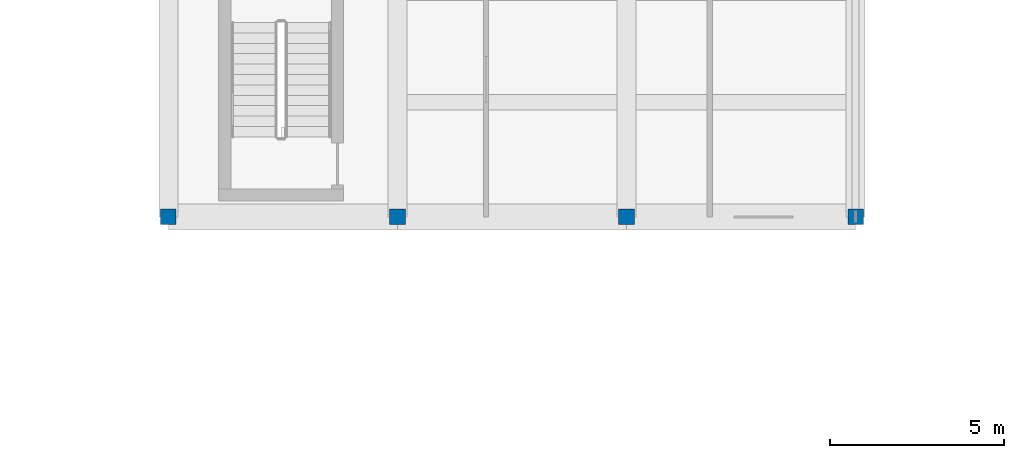
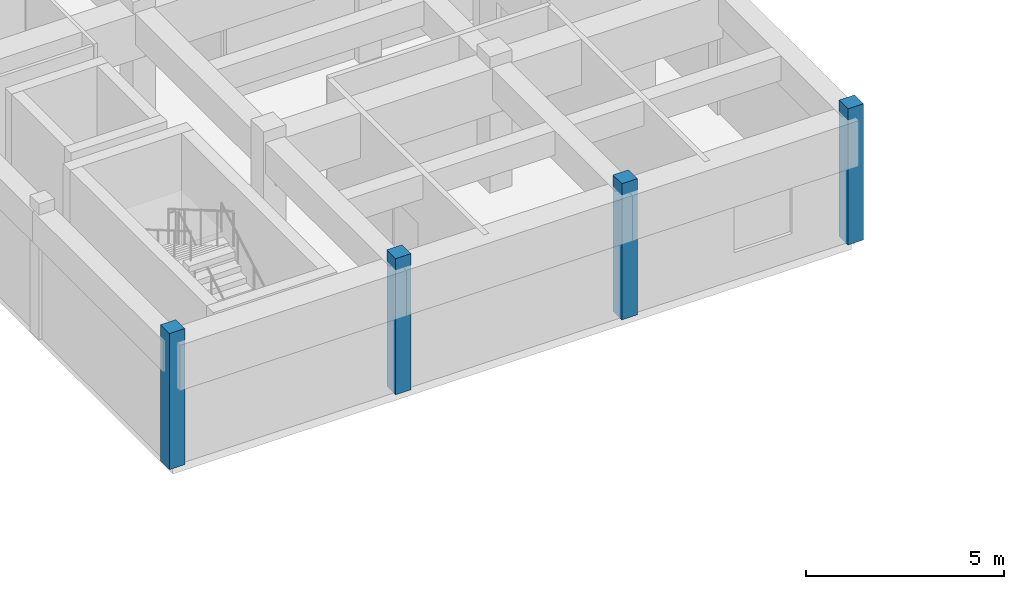
# One storey, part 12 of 130: 4 columns.
"""IFC4 building model written with IfcOpenShell, lengths in metres."""

import ifcopenshell
import ifcopenshell.guid

model = None  # the IFC model being written
_history = None  # IfcOwnerHistory: only IFC2X3 demands one
_inside = {}  # id of a spatial element -> (the spatial element, [elements in it])
_under = {}  # id of a project, library or spatial element -> (it, [spatial elements below it])
_declared = {}  # id of a project -> (the project, [libraries it declares])
_typed = {}  # id of a type object -> (the type object, [elements of that type])
_made_of = {}  # id of a material, layer set ... -> (it, [elements and type objects made of it])


def new_model(schema):
    """Start an empty IFC model of exactly this schema.

    Asked for "IFC4X3", IfcOpenShell would pick the latest addendum, in which some entities
    have other attributes; the version numbers below select the first issue.
    IFC2X3 requires an IfcOwnerHistory on every rooted entity: one is made here for all.
    """
    global model, _history
    if schema == "IFC4X3":
        model = ifcopenshell.file(schema_version=(4, 3, 0, 0))
    else:
        model = ifcopenshell.file(schema=schema)
    _inside.clear()
    _under.clear()
    _declared.clear()
    _typed.clear()
    _made_of.clear()
    _history = None
    if model.schema == "IFC2X3":
        org = make("IfcOrganization", Name="unknown")
        user = make(
            "IfcPersonAndOrganization",
            ThePerson=make("IfcPerson", FamilyName="unknown"),
            TheOrganization=org,
        )
        app = make(
            "IfcApplication",
            ApplicationDeveloper=org,
            Version="unknown",
            ApplicationFullName="unknown",
            ApplicationIdentifier="unknown",
        )
        _history = make(
            "IfcOwnerHistory",
            OwningUser=user,
            OwningApplication=app,
            ChangeAction="ADDED",
            CreationDate=0,
        )
    return model


def make(cls, **values):
    """One entity of the class cls with the attributes given. An attribute that is None is left unset."""
    return model.create_entity(
        cls, **{name: value for name, value in values.items() if value is not None}
    )


def rooted(cls, **values):
    """An entity with a GlobalId (a new one), such as an element, a storey or a relation."""
    return make(cls, GlobalId=ifcopenshell.guid.new(), OwnerHistory=_history, **values)


def si_unit(unit_type, name, prefix=None):
    """IfcSIUnit, for example si_unit("LENGTHUNIT", "METRE", prefix="MILLI")."""
    return make("IfcSIUnit", UnitType=unit_type, Prefix=prefix, Name=name)


def assignment(units):
    """IfcUnitAssignment: the units of a project."""
    return None if units is None else make("IfcUnitAssignment", Units=units)


def point(xyz):
    """IfcCartesianPoint."""
    return None if xyz is None else make("IfcCartesianPoint", Coordinates=xyz)


def direction(xyz):
    """IfcDirection."""
    return None if xyz is None else make("IfcDirection", DirectionRatios=xyz)


def frame(location, z_axis=None, x_axis=None):
    """IfcAxis2Placement3D, a coordinate frame: its origin and axes. An axis left out is left unset."""
    return make(
        "IfcAxis2Placement3D",
        Location=point(location),
        Axis=direction(z_axis),
        RefDirection=direction(x_axis),
    )


def frame_2d(location, x_axis=None):
    """IfcAxis2Placement2D, a coordinate frame in the plane: its origin and x axis."""
    return make(
        "IfcAxis2Placement2D", Location=point(location), RefDirection=direction(x_axis)
    )


def origin():
    """The frame at (0, 0, 0) with its axes left unset."""
    return frame((0.0, 0.0, 0.0))


def origin_2d():
    """The frame at (0, 0) in the plane with its x axis left unset."""
    return frame_2d((0.0, 0.0))


def place(relative_to, where):
    """IfcLocalPlacement: puts the frame where relative to a parent placement (None: the world)."""
    return make(
        "IfcLocalPlacement", PlacementRelTo=relative_to, RelativePlacement=where
    )


def context(
    kind, dimensions, precision=None, world=None, true_north=None, identifier=None
):
    """IfcGeometricRepresentationContext, for example the 3D "Model" context."""
    return make(
        "IfcGeometricRepresentationContext",
        ContextIdentifier=identifier,
        ContextType=kind,
        CoordinateSpaceDimension=dimensions,
        Precision=precision,
        WorldCoordinateSystem=world,
        TrueNorth=true_north,
    )


def subcontext(parent, identifier, kind, view, scale=None):
    """IfcGeometricRepresentationSubContext, for example "Body" below "Model"."""
    return make(
        "IfcGeometricRepresentationSubContext",
        ContextIdentifier=identifier,
        ContextType=kind,
        ParentContext=parent,
        TargetScale=scale,
        TargetView=view,
    )


def project(units=None, contexts=None):
    """IfcProject with its units and contexts."""
    return rooted(
        "IfcProject",
        Name="project",
        RepresentationContexts=contexts,
        UnitsInContext=assignment(units),
    )


def spatial(cls, under=None, at=None, **own):
    """A site, building, storey or space (cls), placed at a placement, below another one or the project."""
    s = rooted(cls, ObjectPlacement=at, **own)
    if under is not None:
        _under.setdefault(under.id(), (under, []))[1].append(s)
    return s


def profile(cls, at=None, kind="AREA", **sizes):
    """A parametric profile (cls). Its sizes go by their IFC names, for example OverallWidth=200.0."""
    return make(cls, ProfileType=kind, Position=at, **sizes)


def rectangle(**sizes):
    """IfcRectangleProfileDef."""
    return profile("IfcRectangleProfileDef", **sizes)


def extrude(swept, where, along, depth):
    """IfcExtrudedAreaSolid: the profile swept, set in the frame where, extruded along a direction by depth."""
    return make(
        "IfcExtrudedAreaSolid",
        SweptArea=swept,
        Position=where,
        ExtrudedDirection=direction(along),
        Depth=depth,
    )


def shape(context_of_items, identifier, shape_type, items):
    """IfcShapeRepresentation: the items that make up one representation, for example the "Body"."""
    return make(
        "IfcShapeRepresentation",
        ContextOfItems=context_of_items,
        RepresentationIdentifier=identifier,
        RepresentationType=shape_type,
        Items=items,
    )


def material(Name=None, Category=None):
    """IfcMaterial."""
    return make("IfcMaterial", Name=Name, Category=Category)


def material_profile(
    of_material, cross_section, Name=None, Category=None, Priority=None
):
    """IfcMaterialProfile: a cross section and its material."""
    return make(
        "IfcMaterialProfile",
        Name=Name,
        Material=of_material,
        Profile=cross_section,
        Priority=Priority,
        Category=Category,
    )


def profile_set(profiles, Name=None, composite=None):
    """IfcMaterialProfileSet."""
    return make(
        "IfcMaterialProfileSet",
        Name=Name,
        MaterialProfiles=profiles,
        CompositeProfile=composite,
    )


def made_of(thing, what):
    """Note that an element or type object is made of a material, layer set ...; save() writes the relation."""
    if what is not None:
        _made_of.setdefault(what.id(), (what, []))[1].append(thing)
    return thing


def type_object(cls, material=None, **own):
    """A type object (cls), such as IfcWallType, which elements share."""
    return made_of(rooted(cls, **own), material)


def element(
    cls,
    number,
    at=None,
    inside=None,
    cuts=None,
    type_object=None,
    material=None,
    context=None,
    identifier="Body",
    shape_type=None,
    held_by="IfcProductDefinitionShape",
    body=None,
    shapes=None,
    **own,
):
    """One element of the class cls, such as IfcWall. Its Tag is "e" and its number.

    at: its placement. inside: the storey or other place that contains it. cuts: it is an
    opening in that element (IfcRelVoidsElement). A single representation is given by context,
    identifier, shape_type and body (its items); several are given by shapes. held_by: the class
    of the entity that holds the representations. save() writes the other relations.
    """
    e = rooted(cls, Tag="e%d" % number, ObjectPlacement=at, **own)
    if body is not None:
        shapes = [shape(context, identifier, shape_type, body)]
    if shapes is not None:
        e.Representation = make(held_by, Representations=shapes)
    if inside is not None:
        _inside.setdefault(inside.id(), (inside, []))[1].append(e)
    if cuts is not None:
        rooted(
            "IfcRelVoidsElement", RelatingBuildingElement=cuts, RelatedOpeningElement=e
        )
    if type_object is not None:
        _typed.setdefault(type_object.id(), (type_object, []))[1].append(e)
    return made_of(e, material)


def aggregate(whole, parts):
    """IfcRelAggregates: a whole, such as a stair, and the parts it consists of."""
    return rooted("IfcRelAggregates", RelatingObject=whole, RelatedObjects=parts)


def save(model, path):
    """Write the relations noted so far, then the file.

    IfcRelAggregates (storeys below a building ...), IfcRelContainedInSpatialStructure (elements
    in a storey), IfcRelDefinesByType, IfcRelAssociatesMaterial and IfcRelDeclares: one each for
    every whole, place, type object, material and project.
    """
    for whole, parts in _under.values():
        aggregate(whole, parts)
    for where, things in _inside.values():
        rooted(
            "IfcRelContainedInSpatialStructure",
            RelatedElements=things,
            RelatingStructure=where,
        )
    for kind, things in _typed.values():
        rooted("IfcRelDefinesByType", RelatedObjects=things, RelatingType=kind)
    for what, things in _made_of.values():
        rooted("IfcRelAssociatesMaterial", RelatedObjects=things, RelatingMaterial=what)
    for by, libraries in _declared.values():
        rooted("IfcRelDeclares", RelatingContext=by, RelatedDefinitions=libraries)
    model.write(path)


model = new_model("IFC4")

# Units and contexts
model_context = context("Model", 3, precision=1e-05, world=origin(), true_north=direction((0.0, 1.0)))
body_context = subcontext(model_context, "Body", "Model", "MODEL_VIEW")
ifc_project = project(units=[si_unit("LENGTHUNIT", "METRE"), si_unit("AREAUNIT", "SQUARE_METRE"), si_unit("VOLUMEUNIT", "CUBIC_METRE"), si_unit("PLANEANGLEUNIT", "RADIAN"), si_unit("MASSUNIT", "GRAM", prefix="KILO")], contexts=[model_context])

# Site, building, storey
site_placement = place(None, origin())
site = spatial("IfcSite", under=ifc_project, at=site_placement, CompositionType="ELEMENT")
building_placement = place(site_placement, origin())
building = spatial("IfcBuilding", under=site, at=building_placement, Name="Karori Crest Natural Sciences Institute", CompositionType="ELEMENT")
storey_placement = place(building_placement, frame((0.0, 0.0, 17.5)))
storey = spatial("IfcBuildingStorey", under=building, at=storey_placement, Name="L04", CompositionType="ELEMENT", Elevation=17.5)

# Columns
ifc_material = material(Name="Concrete 50 MPa", Category="concrete")
ifc_material_profile = material_profile(ifc_material, rectangle(XDim=0.449951171875, YDim=0.449951171875, at=origin_2d()), Name="RC450x450")
ifc_profile_set = profile_set([ifc_material_profile], Name="Concrete 50 MPa")
column_type = type_object("IfcColumnType", Name="CT-23", PredefinedType="PILASTER", material=ifc_profile_set)
for number, where, z_axis, x_axis, name in (
    (1, (7.39990234375, 95.0, 0.0), (0.0, 0.0, 1.0), (1.0, 0.0, 0.0), "Column C-0714"),
    (2, (14.0, 95.0, 0.0), (0.0, 0.0, 1.0), (1.0, 0.0, 0.0), "Column C-0791"),
    (3, (20.60009765625, 95.0, 0.0), (0.0, 0.0, 1.0), (1.0, 0.0, 0.0), "Column C-0868"),
    (4, (27.199951171875, 95.0, 0.0), (0.0, 0.0, 1.0), (1.0, 0.0, 0.0), "Column C-0945"),
):
    element("IfcColumn", number, at=place(storey_placement, frame(where, z_axis=z_axis, x_axis=x_axis)), inside=storey, type_object=column_type, Name=name, PredefinedType="PILASTER", context=body_context, shape_type="SweptSolid", body=[
        extrude(rectangle(XDim=0.449951171875, YDim=0.449951171875, at=origin_2d()), origin(), (0.0, 0.0, 1.0), 4.199951171875),
    ])

save(model, "model.ifc")
